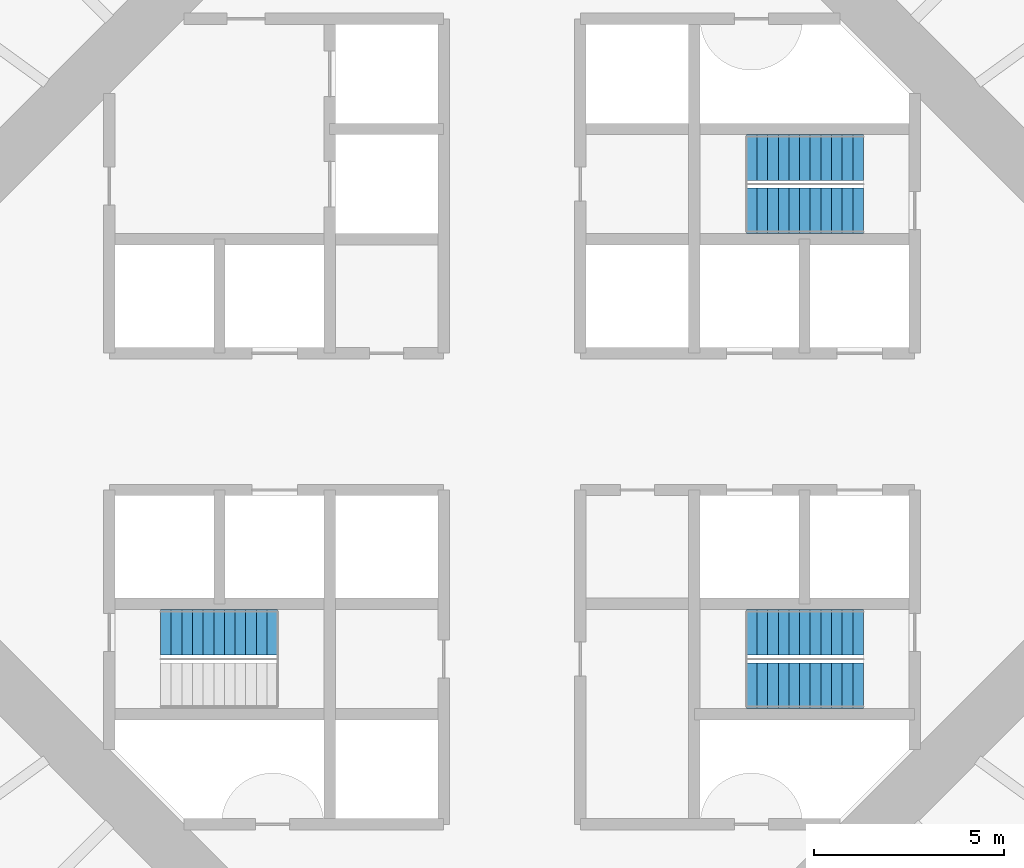
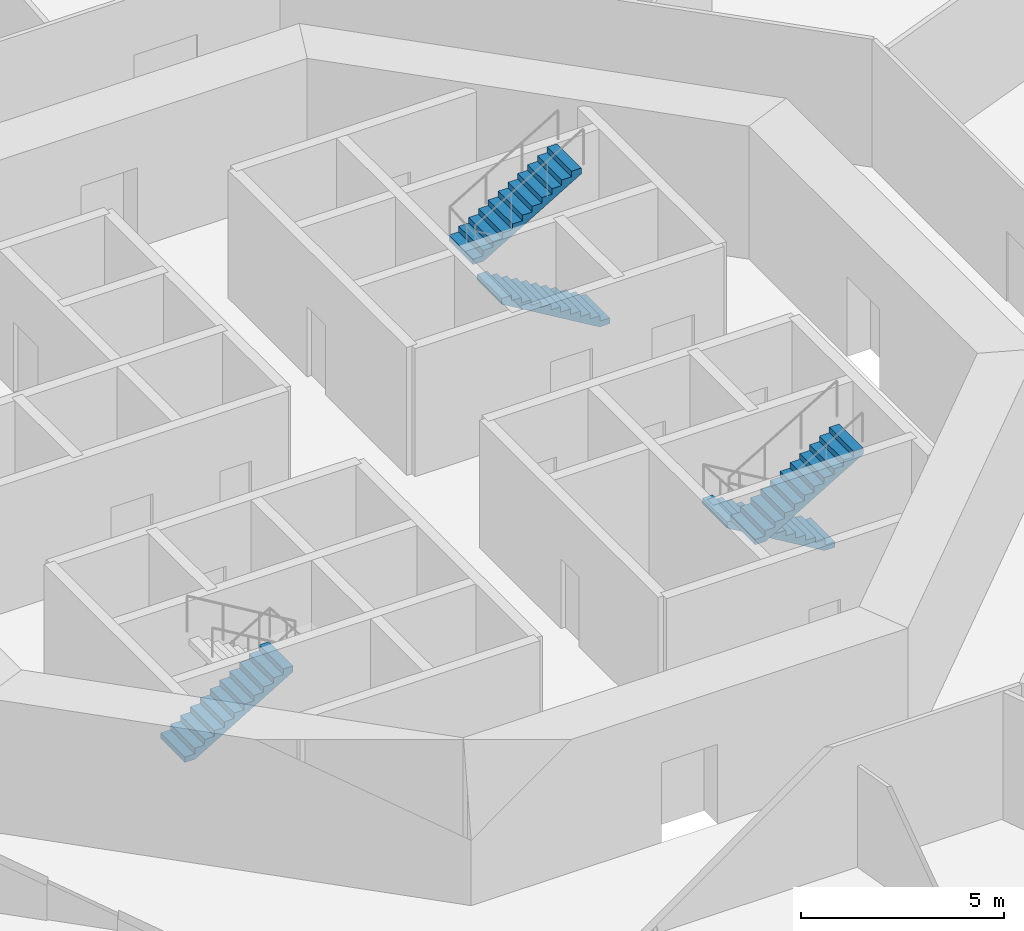
# One storey, part 6 of 13: 5 stair flights, 3 elements without a shape of their own.
"""IFC4 building model written with IfcOpenShell, lengths in metres."""

from ifc_helpers import new_model, si_unit, direction, frame, origin, place, context, subcontext, project, spatial, polyline, outline, extrude, material, type_object, element, aggregate, save


model = new_model("IFC4")

# Units and contexts
model_context = context("Model", 3, precision=1e-05, world=origin(), true_north=direction((0.0, 1.0)))
body_context = subcontext(model_context, "Body", "Model", "MODEL_VIEW")
ifc_project = project(units=[si_unit("LENGTHUNIT", "METRE"), si_unit("AREAUNIT", "SQUARE_METRE"), si_unit("VOLUMEUNIT", "CUBIC_METRE"), si_unit("PLANEANGLEUNIT", "RADIAN"), si_unit("MASSUNIT", "GRAM", prefix="KILO")], contexts=[model_context])

# Site, building, storey
site_placement = place(None, origin())
site = spatial("IfcSite", under=ifc_project, at=site_placement, CompositionType="ELEMENT")
building_placement = place(site_placement, origin())
building = spatial("IfcBuilding", under=site, at=building_placement, Name="Entoto Ring Tower", CompositionType="ELEMENT")
storey_placement = place(building_placement, frame((0.0, 0.0, 54.0)))
storey = spatial("IfcBuildingStorey", under=building, at=storey_placement, Name="L11", CompositionType="ELEMENT", Elevation=54.0)

# Stair, stair flights
ifc_material_1 = material(Name="Concrete C40/50", Category="concrete")
stair_type = type_object("IfcStairType", Name="Exit stair 1200 mm dog-leg reinforced concrete", PredefinedType="HALF_TURN_STAIR", material=ifc_material_1)
stair_1_placement = place(storey_placement, origin())
stair_1 = element("IfcStair", 1, at=stair_1_placement, inside=storey, type_object=stair_type, Name="Exit stair 1", PredefinedType="HALF_TURN_STAIR")
ifc_material_2 = material(Name="Concrete C40/50", Category="concrete")
stair_flight_type = type_object("IfcStairFlightType", Name="Stair flight 1200 mm reinforced concrete", PredefinedType="STRAIGHT", material=ifc_material_2)
stair_flight_1_placement = place(storey_placement, frame((99.25, 85.550048828125, 0.0), z_axis=(0.0, 0.0, 1.0), x_axis=(-1.0, 0.0, 0.0)))
stair_flight_1 = element("IfcStairFlight", 2, at=stair_flight_1_placement, type_object=stair_flight_type, Name="ST1 flight 1", NumberOfRisers=12, NumberOfTreads=11, PredefinedType="STRAIGHT", RiserHeight=0.166666667, TreadLength=0.28, context=body_context, shape_type="SweptSolid", body=[
    extrude(outline(polyline([(0.0, 0.0), (0.0, 0.166748046875), (0.280029296875, 0.166748046875), (0.280029296875, 0.333251953125), (0.56005859375, 0.333251953125), (0.56005859375, 0.5), (0.840087890625, 0.5), (0.840087890625, 0.666748046875), (1.1201171875, 0.666748046875), (1.1201171875, 0.833251953125), (1.39990234375, 0.833251953125), (1.39990234375, 1.0), (1.679931640625, 1.0), (1.679931640625, 1.166748046875), (1.9599609375, 1.166748046875), (1.9599609375, 1.333251953125), (2.239990234375, 1.333251953125), (2.239990234375, 1.5), (2.52001953125, 1.5), (2.52001953125, 1.666748046875), (2.800048828125, 1.666748046875), (2.800048828125, 1.833251953125), (3.080078125, 1.833251953125), (3.080078125, 2.0), (3.080078125, 1.658935546875), (0.29296875, 0.0), (0.0, 0.0)])), frame((0.0, 0.60009765625, 0.0), z_axis=(0.0, -1.0, 0.0), x_axis=(1.0, 0.0, 0.0)), (0.0, 0.0, 1.0), 1.199951171875),
])
stair_flight_2_placement = place(storey_placement, frame((96.169921875, 86.949951171875, 2.0), z_axis=(0.0, 0.0, 1.0), x_axis=(1.0, 0.0, 0.0)))
stair_flight_2 = element("IfcStairFlight", 3, at=stair_flight_2_placement, type_object=stair_flight_type, Name="ST1 flight 2", NumberOfRisers=12, NumberOfTreads=11, PredefinedType="STRAIGHT", RiserHeight=0.166666667, TreadLength=0.28, context=body_context, shape_type="SweptSolid", body=[
    extrude(outline(polyline([(0.0, 0.0), (0.0, 0.166748046875), (0.280029296875, 0.166748046875), (0.280029296875, 0.333251953125), (0.56005859375, 0.333251953125), (0.56005859375, 0.5), (0.840087890625, 0.5), (0.840087890625, 0.666748046875), (1.1201171875, 0.666748046875), (1.1201171875, 0.833251953125), (1.39990234375, 0.833251953125), (1.39990234375, 1.0), (1.679931640625, 1.0), (1.679931640625, 1.166748046875), (1.9599609375, 1.166748046875), (1.9599609375, 1.333251953125), (2.239990234375, 1.333251953125), (2.239990234375, 1.5), (2.52001953125, 1.5), (2.52001953125, 1.666748046875), (2.800048828125, 1.666748046875), (2.800048828125, 1.833251953125), (3.080078125, 1.833251953125), (3.080078125, 2.0), (3.080078125, 1.658935546875), (0.29296875, 0.0), (0.0, 0.0)])), frame((0.0, 0.60009765625, 0.0), z_axis=(0.0, -1.0, 0.0), x_axis=(1.0, 0.0, 0.0)), (0.0, 0.0, 1.0), 1.199951171875),
])
aggregate(stair_1, [stair_flight_1, stair_flight_2])

# Stair, stair flight
stair_2_placement = place(storey_placement, origin())
stair_2 = element("IfcStair", 4, at=stair_2_placement, inside=storey, type_object=stair_type, Name="Exit stair 2", PredefinedType="HALF_TURN_STAIR")
stair_flight_3_placement = place(storey_placement, frame((80.75, 74.449951171875, 0.0), z_axis=(0.0, 0.0, 1.0), x_axis=(1.0, 0.0, 0.0)))
stair_flight_3 = element("IfcStairFlight", 5, at=stair_flight_3_placement, type_object=stair_flight_type, Name="ST2 flight 1", NumberOfRisers=12, NumberOfTreads=11, PredefinedType="STRAIGHT", RiserHeight=0.166666667, TreadLength=0.28, context=body_context, shape_type="SweptSolid", body=[
    extrude(outline(polyline([(0.0, 0.0), (0.0, 0.166748046875), (0.280029296875, 0.166748046875), (0.280029296875, 0.333251953125), (0.56005859375, 0.333251953125), (0.56005859375, 0.5), (0.840087890625, 0.5), (0.840087890625, 0.666748046875), (1.1201171875, 0.666748046875), (1.1201171875, 0.833251953125), (1.39990234375, 0.833251953125), (1.39990234375, 1.0), (1.679931640625, 1.0), (1.679931640625, 1.166748046875), (1.9599609375, 1.166748046875), (1.9599609375, 1.333251953125), (2.239990234375, 1.333251953125), (2.239990234375, 1.5), (2.52001953125, 1.5), (2.52001953125, 1.666748046875), (2.800048828125, 1.666748046875), (2.800048828125, 1.833251953125), (3.080078125, 1.833251953125), (3.080078125, 2.0), (3.080078125, 1.658935546875), (0.29296875, 0.0), (0.0, 0.0)])), frame((0.0, 0.60009765625, 0.0), z_axis=(0.0, -1.0, 0.0), x_axis=(1.0, 0.0, 0.0)), (0.0, 0.0, 1.0), 1.199951171875),
])
aggregate(stair_2, [stair_flight_3])

# Stair, stair flights
stair_3_placement = place(storey_placement, origin())
stair_3 = element("IfcStair", 6, at=stair_3_placement, inside=storey, type_object=stair_type, Name="Exit stair 3", PredefinedType="HALF_TURN_STAIR")
stair_flight_4_placement = place(storey_placement, frame((99.25, 74.449951171875, 0.0), z_axis=(0.0, 0.0, 1.0), x_axis=(-1.0, 0.0, 0.0)))
stair_flight_4 = element("IfcStairFlight", 7, at=stair_flight_4_placement, type_object=stair_flight_type, Name="ST3 flight 1", NumberOfRisers=12, NumberOfTreads=11, PredefinedType="STRAIGHT", RiserHeight=0.166666667, TreadLength=0.28, context=body_context, shape_type="SweptSolid", body=[
    extrude(outline(polyline([(0.0, 0.0), (0.0, 0.166748046875), (0.280029296875, 0.166748046875), (0.280029296875, 0.333251953125), (0.56005859375, 0.333251953125), (0.56005859375, 0.5), (0.840087890625, 0.5), (0.840087890625, 0.666748046875), (1.1201171875, 0.666748046875), (1.1201171875, 0.833251953125), (1.39990234375, 0.833251953125), (1.39990234375, 1.0), (1.679931640625, 1.0), (1.679931640625, 1.166748046875), (1.9599609375, 1.166748046875), (1.9599609375, 1.333251953125), (2.239990234375, 1.333251953125), (2.239990234375, 1.5), (2.52001953125, 1.5), (2.52001953125, 1.666748046875), (2.800048828125, 1.666748046875), (2.800048828125, 1.833251953125), (3.080078125, 1.833251953125), (3.080078125, 2.0), (3.080078125, 1.658935546875), (0.29296875, 0.0), (0.0, 0.0)])), frame((0.0, 0.60009765625, 0.0), z_axis=(0.0, -1.0, 0.0), x_axis=(1.0, 0.0, 0.0)), (0.0, 0.0, 1.0), 1.199951171875),
])
stair_flight_5_placement = place(storey_placement, frame((96.169921875, 73.050048828125, 2.0), z_axis=(0.0, 0.0, 1.0), x_axis=(1.0, 0.0, 0.0)))
stair_flight_5 = element("IfcStairFlight", 8, at=stair_flight_5_placement, type_object=stair_flight_type, Name="ST3 flight 2", NumberOfRisers=12, NumberOfTreads=11, PredefinedType="STRAIGHT", RiserHeight=0.166666667, TreadLength=0.28, context=body_context, shape_type="SweptSolid", body=[
    extrude(outline(polyline([(0.0, 0.0), (0.0, 0.166748046875), (0.280029296875, 0.166748046875), (0.280029296875, 0.333251953125), (0.56005859375, 0.333251953125), (0.56005859375, 0.5), (0.840087890625, 0.5), (0.840087890625, 0.666748046875), (1.1201171875, 0.666748046875), (1.1201171875, 0.833251953125), (1.39990234375, 0.833251953125), (1.39990234375, 1.0), (1.679931640625, 1.0), (1.679931640625, 1.166748046875), (1.9599609375, 1.166748046875), (1.9599609375, 1.333251953125), (2.239990234375, 1.333251953125), (2.239990234375, 1.5), (2.52001953125, 1.5), (2.52001953125, 1.666748046875), (2.800048828125, 1.666748046875), (2.800048828125, 1.833251953125), (3.080078125, 1.833251953125), (3.080078125, 2.0), (3.080078125, 1.658935546875), (0.29296875, 0.0), (0.0, 0.0)])), frame((0.0, 0.60009765625, 0.0), z_axis=(0.0, -1.0, 0.0), x_axis=(1.0, 0.0, 0.0)), (0.0, 0.0, 1.0), 1.199951171875),
])
aggregate(stair_3, [stair_flight_4, stair_flight_5])

save(model, "model.ifc")
